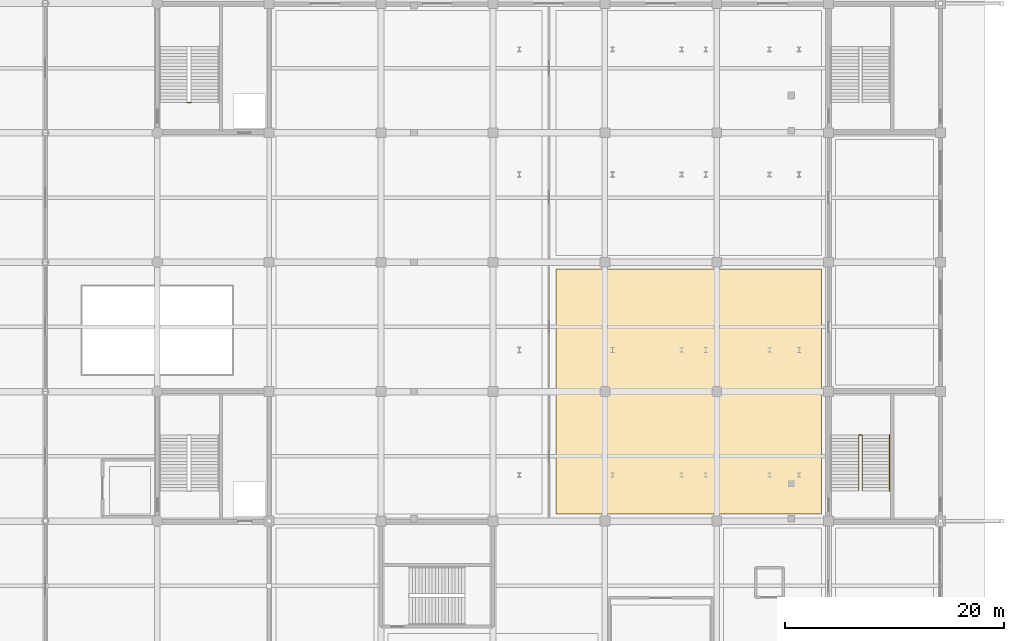
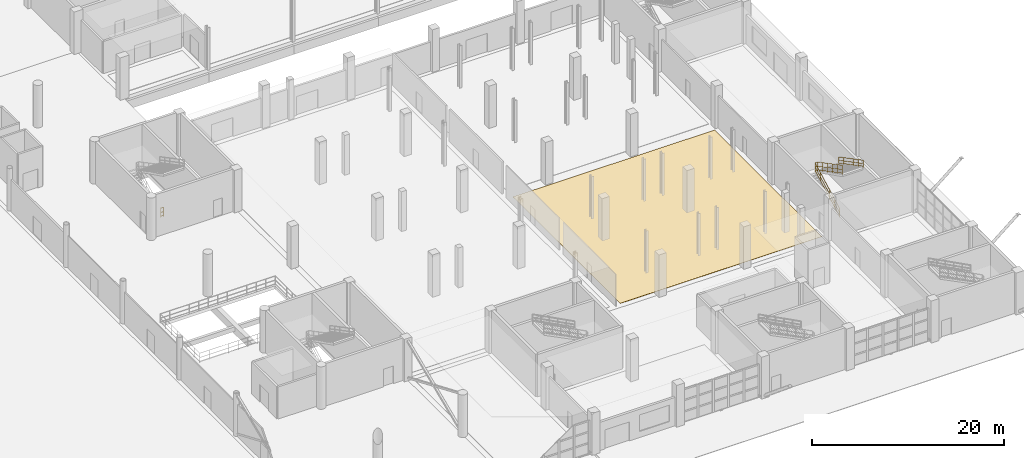
# One storey, part 119 of 124: 3 railings, 1 covering.
"""IFC4 building model written with IfcOpenShell, lengths in metres."""

from ifc_helpers import new_model, si_unit, direction, frame, origin, origin_2d, place, context, subcontext, project, spatial, polyline, circle, outline, extrude, material, layer, layer_set, type_object, element, save


model = new_model("IFC4")

# Units and contexts
model_context = context("Model", 3, precision=1e-05, world=origin(), true_north=direction((0.0, 1.0)))
body_context = subcontext(model_context, "Body", "Model", "MODEL_VIEW")
ifc_project = project(units=[si_unit("LENGTHUNIT", "METRE"), si_unit("AREAUNIT", "SQUARE_METRE"), si_unit("VOLUMEUNIT", "CUBIC_METRE"), si_unit("PLANEANGLEUNIT", "RADIAN"), si_unit("MASSUNIT", "GRAM", prefix="KILO")], contexts=[model_context])

# Site, building, storey
site_placement = place(None, origin())
site = spatial("IfcSite", under=ifc_project, at=site_placement, CompositionType="ELEMENT")
building_placement = place(site_placement, origin())
building = spatial("IfcBuilding", under=site, at=building_placement, Name="Brelvane Convention Centre", CompositionType="ELEMENT")
storey_placement = place(building_placement, origin())
storey = spatial("IfcBuildingStorey", under=building, at=storey_placement, Name="L00", CompositionType="ELEMENT", Elevation=0.0)

# Covering
ifc_material_1 = material(Name="Solution-Dyed Heavy Contract Wool Carpet Class 1")
ifc_layer = layer(ifc_material_1, 0.028076171875)
ifc_layer_set = layer_set([ifc_layer], Name="Solution-Dyed Heavy Contract Wool Carpet Class 1")
covering_type = type_object("IfcCoveringType", Name="Interior Finish FL-CPT-28", PredefinedType="FLOORING", material=ifc_layer_set)
covering_placement = place(storey_placement, origin())
element("IfcCovering", 1, at=covering_placement, inside=storey, type_object=covering_type, Name="Media Briefing Room 1 Floor Finish (FL-CPT-28)", PredefinedType="FLOORING", context=body_context, shape_type="SweptSolid", body=[
    extrude(outline(polyline([(189.330078125, 41.22998046875), (213.570068359375, 41.22998046875), (213.570068359375, 63.570068359375), (189.330078125, 63.570068359375), (189.330078125, 41.22998046875)])), origin(), (0.0, 0.0, 1.0), 0.028076171875),
])

# Railings
ifc_material_2 = material(Name="Steel E350 (350 MPa)", Category="steel")
railing_type_1 = type_object("IfcRailingType", Name="Stair Railing GR-ST-1", PredefinedType="GUARDRAIL", material=ifc_material_2)
railing_1_placement = place(storey_placement, frame((216.93994140625, 43.35009765625, -0.02001953125)))
element("IfcRailing", 2, at=railing_1_placement, inside=storey, type_object=railing_type_1, Name="Stair ST-15 L00 Inner Well Guard", PredefinedType="GUARDRAIL", context=body_context, shape_type="SweptSolid", body=[
    extrude(circle(Radius=0.02392578125, at=origin_2d()), frame((0.0, 0.0, 1.1259765625), z_axis=(0.0, 0.88234943334, 0.470594812429), x_axis=(-1.0, 0.0, 0.0)), (0.0, 0.0, 1.0), 5.77978515625),
    extrude(circle(Radius=0.02392578125, at=origin_2d()), frame((0.0, 0.0, 0.597900390625), z_axis=(0.0, 0.88234943334, 0.470594812429), x_axis=(-1.0, 0.0, 0.0)), (0.0, 0.0, 1.0), 5.77978515625),
    extrude(circle(Radius=0.02392578125, at=origin_2d()), frame((0.0, 0.0, 0.139892578125), z_axis=(0.0, 0.88234943334, 0.470594812429), x_axis=(-1.0, 0.0, 0.0)), (0.0, 0.0, 1.0), 5.77978515625),
    extrude(circle(Radius=0.02392578125, at=origin_2d()), frame((0.0, 5.099853515625, 3.845947265625), z_axis=(1.0, 0.0, 0.0), x_axis=(0.0, 1.0, 0.0)), (0.0, 0.0, 1.0), 0.320068359375),
    extrude(circle(Radius=0.02392578125, at=origin_2d()), frame((0.0, 5.099853515625, 3.31787109375), z_axis=(1.0, 0.0, 0.0), x_axis=(0.0, 1.0, 0.0)), (0.0, 0.0, 1.0), 0.320068359375),
    extrude(circle(Radius=0.02392578125, at=origin_2d()), frame((0.0, 5.099853515625, 2.85986328125), z_axis=(1.0, 0.0, 0.0), x_axis=(0.0, 1.0, 0.0)), (0.0, 0.0, 1.0), 0.320068359375),
    extrude(circle(Radius=0.02392578125, at=origin_2d()), frame((0.320068359375, 5.099853515625, 3.845947265625), z_axis=(0.0, -0.885218631674, 0.465175207999), x_axis=(1.0, 0.0, 0.0)), (0.0, 0.0, 1.0), 5.76123046875),
    extrude(circle(Radius=0.02392578125, at=origin_2d()), frame((0.320068359375, 5.099853515625, 3.31787109375), z_axis=(0.0, -0.885218631674, 0.465175207999), x_axis=(1.0, 0.0, 0.0)), (0.0, 0.0, 1.0), 5.76123046875),
    extrude(circle(Radius=0.02392578125, at=origin_2d()), frame((0.320068359375, 5.099853515625, 2.85986328125), z_axis=(0.0, -0.885218631674, 0.465175207999), x_axis=(1.0, 0.0, 0.0)), (0.0, 0.0, 1.0), 5.76123046875),
    extrude(circle(Radius=0.02099609375, at=origin_2d()), origin(), (0.0, 0.0, 1.0), 1.101806640625),
    extrude(circle(Radius=0.02099609375, at=origin_2d()), frame((0.0, 1.02001953125, 0.5439453125)), (0.0, 0.0, 1.0), 1.101806640625),
    extrude(circle(Radius=0.02099609375, at=origin_2d()), frame((0.0, 2.0400390625, 1.087890625)), (0.0, 0.0, 1.0), 1.101806640625),
    extrude(circle(Radius=0.02099609375, at=origin_2d()), frame((0.0, 3.059814453125, 1.632080078125)), (0.0, 0.0, 1.0), 1.101806640625),
    extrude(circle(Radius=0.02099609375, at=origin_2d()), frame((0.0, 4.079833984375, 2.176025390625)), (0.0, 0.0, 1.0), 1.101806640625),
    extrude(circle(Radius=0.02099609375, at=origin_2d()), frame((0.0, 5.099853515625, 2.719970703125)), (0.0, 0.0, 1.0), 1.101806640625),
    extrude(circle(Radius=0.02099609375, at=origin_2d()), frame((0.320068359375, 5.099853515625, 2.719970703125)), (0.0, 0.0, 1.0), 1.101806640625),
    extrude(circle(Radius=0.02099609375, at=origin_2d()), frame((0.320068359375, 4.079833984375, 3.255859375)), (0.0, 0.0, 1.0), 1.101806640625),
    extrude(circle(Radius=0.02099609375, at=origin_2d()), frame((0.320068359375, 3.059814453125, 3.7919921875)), (0.0, 0.0, 1.0), 1.101806640625),
    extrude(circle(Radius=0.02099609375, at=origin_2d()), frame((0.320068359375, 2.0400390625, 4.327880859375)), (0.0, 0.0, 1.0), 1.101806640625),
    extrude(circle(Radius=0.02099609375, at=origin_2d()), frame((0.320068359375, 1.02001953125, 4.864013671875)), (0.0, 0.0, 1.0), 1.101806640625),
    extrude(circle(Radius=0.02099609375, at=origin_2d()), frame((0.320068359375, 0.0, 5.39990234375)), (0.0, 0.0, 1.0), 1.101806640625),
])
ifc_material_3 = material(Name="Steel E350 (350 MPa)", Category="steel")
railing_type_2 = type_object("IfcRailingType", Name="Stair Railing GR-ST-2", PredefinedType="GUARDRAIL", material=ifc_material_3)
railing_2_placement = place(storey_placement, frame((155.739990234375, 78.75, -0.02001953125)))
element("IfcRailing", 3, at=railing_2_placement, inside=storey, type_object=railing_type_2, Name="Stair ST-04 L00 Landing Well Guard", PredefinedType="GUARDRAIL", context=body_context, shape_type="SweptSolid", body=[
    extrude(circle(Radius=0.02392578125, at=origin_2d()), frame((0.0, 0.0, 1.15576171875), z_axis=(1.0, 0.0, 0.0), x_axis=(0.0, 1.0, 0.0)), (0.0, 0.0, 1.0), 0.320068359375),
    extrude(circle(Radius=0.02392578125, at=origin_2d()), frame((0.0, 0.0, 0.613525390625), z_axis=(1.0, 0.0, 0.0), x_axis=(0.0, 1.0, 0.0)), (0.0, 0.0, 1.0), 0.320068359375),
    extrude(circle(Radius=0.02392578125, at=origin_2d()), frame((0.0, 0.0, 0.139892578125), z_axis=(1.0, 0.0, 0.0), x_axis=(0.0, 1.0, 0.0)), (0.0, 0.0, 1.0), 0.320068359375),
    extrude(circle(Radius=0.02099609375, at=origin_2d()), origin(), (0.0, 0.0, 1.0), 1.1318359375),
    extrude(circle(Radius=0.02099609375, at=origin_2d()), frame((0.320068359375, 0.0, 0.0)), (0.0, 0.0, 1.0), 1.1318359375),
])
ifc_material_4 = material(Name="Steel E350 (350 MPa)", Category="steel")
railing_type_3 = type_object("IfcRailingType", Name="Stair Railing HR-ST-1", PredefinedType="HANDRAIL", material=ifc_material_4)
railing_3_placement = place(storey_placement, frame((219.77001953125, 48.449951171875, 2.699951171875)))
element("IfcRailing", 4, at=railing_3_placement, inside=storey, type_object=railing_type_3, Name="Stair ST-15 L00 Outer Handrail F2", PredefinedType="HANDRAIL", context=body_context, shape_type="SweptSolid", body=[
    extrude(circle(Radius=0.02392578125, at=origin_2d()), frame((0.0, 0.0, 0.89599609375), z_axis=(0.0, -0.885218631674, 0.465175207999), x_axis=(1.0, 0.0, 0.0)), (0.0, 0.0, 1.0), 5.76123046875),
    extrude(circle(Radius=0.02392578125, at=origin_2d()), frame((0.0, 0.0, 0.478271484375), z_axis=(0.0, -0.885218631674, 0.465175207999), x_axis=(1.0, 0.0, 0.0)), (0.0, 0.0, 1.0), 5.76123046875),
    extrude(circle(Radius=0.02392578125, at=origin_2d()), frame((0.0, 0.0, 0.139892578125), z_axis=(0.0, -0.885218631674, 0.465175207999), x_axis=(1.0, 0.0, 0.0)), (0.0, 0.0, 1.0), 5.76123046875),
    extrude(circle(Radius=0.02099609375, at=origin_2d()), origin(), (0.0, 0.0, 1.0), 0.871826171875),
    extrude(circle(Radius=0.02099609375, at=origin_2d()), frame((0.0, -1.02001953125, 0.535888671875)), (0.0, 0.0, 1.0), 0.871826171875),
    extrude(circle(Radius=0.02099609375, at=origin_2d()), frame((0.0, -2.0400390625, 1.072021484375)), (0.0, 0.0, 1.0), 0.871826171875),
    extrude(circle(Radius=0.02099609375, at=origin_2d()), frame((0.0, -3.059814453125, 1.60791015625)), (0.0, 0.0, 1.0), 0.871826171875),
    extrude(circle(Radius=0.02099609375, at=origin_2d()), frame((0.0, -4.079833984375, 2.14404296875)), (0.0, 0.0, 1.0), 0.871826171875),
    extrude(circle(Radius=0.02099609375, at=origin_2d()), frame((0.0, -5.099853515625, 2.679931640625)), (0.0, 0.0, 1.0), 0.871826171875),
])

save(model, "model.ifc")
